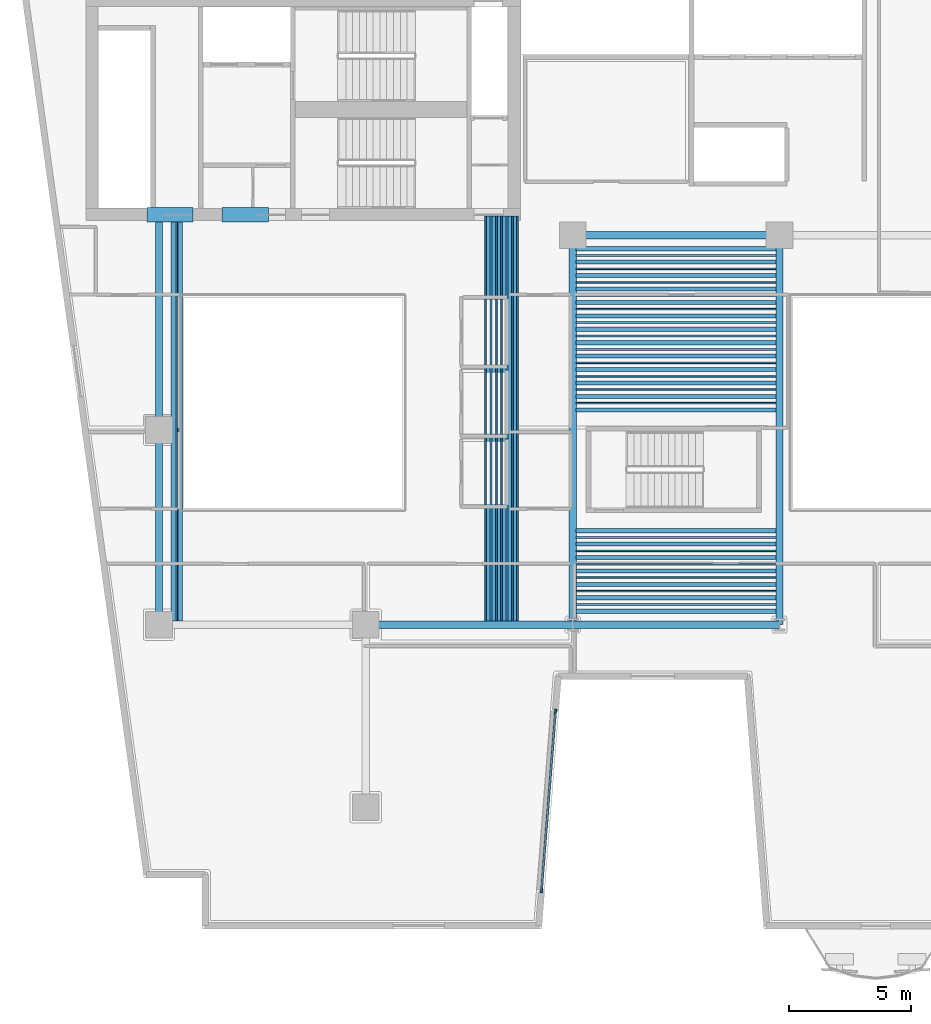
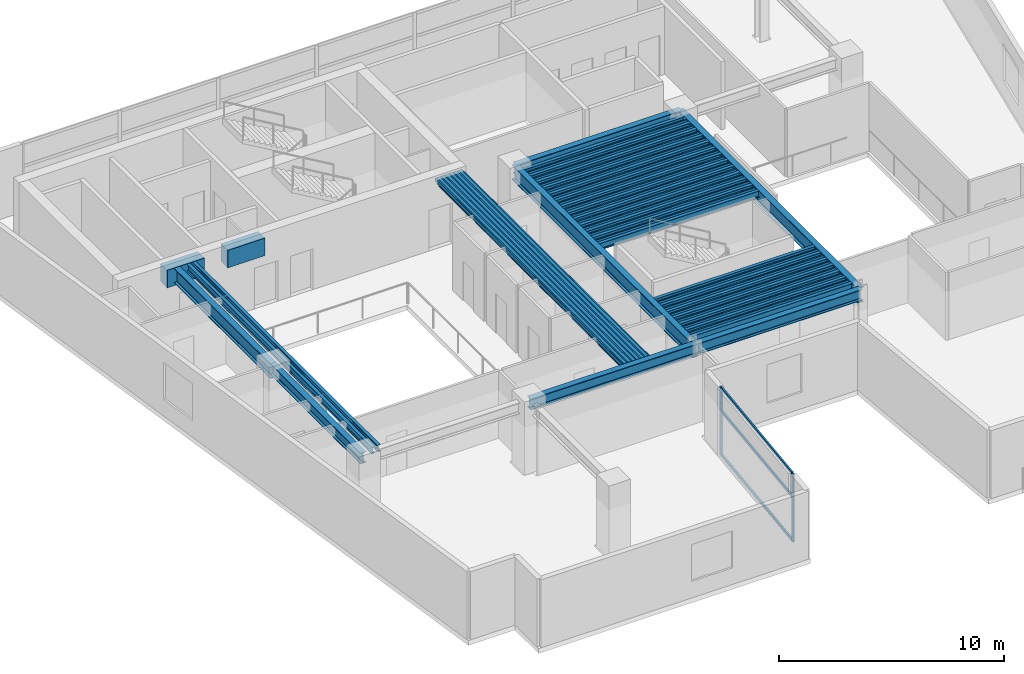
# One storey, part 2 of 12: 63 beams, 5 members, 1 element without a shape of its own.
"""IFC4 building model written with IfcOpenShell, lengths in metres."""

from ifc_helpers import new_model, si_unit, direction, frame, origin, origin_2d, place, context, subcontext, project, spatial, rectangle, hollow_rectangle, i_section, extrude, material, layer, layer_set, material_profile, profile_set, type_object, element, aggregate, save


model = new_model("IFC4")

# Units and contexts
model_context = context("Model", 3, precision=1e-05, world=origin(), true_north=direction((0.0, 1.0)))
body_context = subcontext(model_context, "Body", "Model", "MODEL_VIEW")
ifc_project = project(units=[si_unit("LENGTHUNIT", "METRE"), si_unit("AREAUNIT", "SQUARE_METRE"), si_unit("VOLUMEUNIT", "CUBIC_METRE"), si_unit("PLANEANGLEUNIT", "RADIAN"), si_unit("MASSUNIT", "GRAM", prefix="KILO")], contexts=[model_context])

# Site, building, storey
site_placement = place(None, origin())
site = spatial("IfcSite", under=ifc_project, at=site_placement, CompositionType="ELEMENT")
building_placement = place(site_placement, origin())
building = spatial("IfcBuilding", under=site, at=building_placement, Name="Caeloran Harvest Quay", CompositionType="ELEMENT")
storey_placement = place(building_placement, frame((0.0, 0.0, 111.39990234375)))
storey = spatial("IfcBuildingStorey", under=building, at=storey_placement, Name="L25", CompositionType="ELEMENT", Elevation=111.39990234375)

# Beams
ifc_material_1 = material(Name="Concrete C60/75", Category="concrete")
ifc_material_profile_1 = material_profile(ifc_material_1, rectangle(XDim=0.60009765625, YDim=0.949951171875, at=origin_2d()), Name="RC 600x950")
ifc_profile_set_1 = profile_set([ifc_material_profile_1], Name="Concrete C60/75")
beam_type_1 = type_object("IfcBeamType", Name="BM-CB-2-RC_600x950", PredefinedType="LINTEL", material=ifc_profile_set_1)
for number, where, z_axis, x_axis, name in (
    (1, (8.0, 31.85009765625, 3.215087890625), (1.0, 0.0, 0.0), (0.0, 1.0, 0.0), "L25 Core Coupling Beam 1"),
    (2, (11.10009765625, 31.85009765625, 3.215087890625), (1.0, 0.0, 0.0), (0.0, 1.0, 0.0), "L25 Core Coupling Beam 2"),
):
    element("IfcBeam", number, at=place(storey_placement, frame(where, z_axis=z_axis, x_axis=x_axis)), inside=storey, type_object=beam_type_1, Name=name, PredefinedType="LINTEL", context=body_context, shape_type="SweptSolid", body=[
        extrude(rectangle(XDim=0.60009765625, YDim=0.949951171875, at=origin_2d()), origin(), (0.0, 0.0, 1.0), 1.89990234375),
    ])
ifc_material_2 = material(Name="Steel S355J2", Category="steel")
ifc_material_profile_2 = material_profile(ifc_material_2, i_section(OverallWidth=0.300048828125, OverallDepth=0.800048828125, WebThickness=0.017578125, FlangeThickness=0.032958984375, FilletRadius=0.030029296875, at=origin_2d()), Name="HE 800 B")
ifc_profile_set_2 = profile_set([ifc_material_profile_2], Name="Steel S355J2")
beam_type_2 = type_object("IfcBeamType", Name="BM-PG-1-HE_800_B", PredefinedType="BEAM", material=ifc_profile_set_2)
beam_1_placement = place(storey_placement, frame((8.5, 23.0, 3.2900390625), z_axis=(0.0, 1.0, 0.0), x_axis=(-1.0, 0.0, 0.0)))
element("IfcBeam", 3, at=beam_1_placement, inside=storey, type_object=beam_type_2, Name="L25 Core South Tie Girder X=8.5", PredefinedType="BEAM", context=body_context, shape_type="SweptSolid", body=[
    extrude(i_section(OverallWidth=0.300048828125, OverallDepth=0.800048828125, WebThickness=0.017578125, FlangeThickness=0.032958984375, FilletRadius=0.030029296875, at=origin_2d()), origin(), (0.0, 0.0, 1.0), 8.800048828125),
])
for number, where, z_axis, x_axis, name in (
    (4, (25.5, 15.0, 3.2900390625), (0.0, 1.0, 0.0), (-1.0, 0.0, 0.0), "L25 Primary North-South Girder X=25.5"),
    (5, (34.0, 15.0, 3.2900390625), (0.0, 1.0, 0.0), (-1.0, 0.0, 0.0), "L25 Primary North-South Girder X=34.0"),
):
    element("IfcBeam", number, at=place(storey_placement, frame(where, z_axis=z_axis, x_axis=x_axis)), inside=storey, type_object=beam_type_2, Name=name, PredefinedType="BEAM", context=body_context, shape_type="SweptSolid", body=[
        extrude(i_section(OverallWidth=0.300048828125, OverallDepth=0.800048828125, WebThickness=0.017578125, FlangeThickness=0.032958984375, FilletRadius=0.030029296875, at=origin_2d()), origin(), (0.0, 0.0, 1.0), 16.0),
    ])
ifc_material_profile_3 = material_profile(ifc_material_2, i_section(OverallWidth=0.300048828125, OverallDepth=0.60009765625, WebThickness=0.015380859375, FlangeThickness=0.030029296875, FilletRadius=0.027099609375, at=origin_2d()), Name="HE 600 B")
ifc_profile_set_3 = profile_set([ifc_material_profile_3], Name="Steel S355J2")
beam_type_3 = type_object("IfcBeamType", Name="BM-PG-3-HE_600_B", PredefinedType="BEAM", material=ifc_profile_set_3)
for number, where, z_axis, x_axis, name in (
    (6, (17.0, 15.0, 3.39013671875), (1.0, 0.0, 0.0), (0.0, 1.0, 0.0), "L25 Primary East-West Girder Y=15.0"),
    (7, (25.5, 15.0, 3.39013671875), (1.0, 0.0, 0.0), (0.0, 1.0, 0.0), "L25 Primary East-West Girder Y=15.0"),
    (8, (25.5, 31.0, 3.39013671875), (1.0, 0.0, 0.0), (0.0, 1.0, 0.0), "L25 Primary East-West Girder Y=31.0"),
):
    element("IfcBeam", number, at=place(storey_placement, frame(where, z_axis=z_axis, x_axis=x_axis)), inside=storey, type_object=beam_type_3, Name=name, PredefinedType="BEAM", context=body_context, shape_type="SweptSolid", body=[
        extrude(i_section(OverallWidth=0.300048828125, OverallDepth=0.60009765625, WebThickness=0.015380859375, FlangeThickness=0.030029296875, FilletRadius=0.027099609375, at=origin_2d()), origin(), (0.0, 0.0, 1.0), 8.5),
    ])
beam_2_placement = place(storey_placement, frame((8.5, 15.0, 3.39013671875), z_axis=(0.0, 1.0, 0.0), x_axis=(-1.0, 0.0, 0.0)))
element("IfcBeam", 9, at=beam_2_placement, inside=storey, type_object=beam_type_3, Name="L25 Primary North-South Girder X=8.5", PredefinedType="BEAM", context=body_context, shape_type="SweptSolid", body=[
    extrude(i_section(OverallWidth=0.300048828125, OverallDepth=0.60009765625, WebThickness=0.015380859375, FlangeThickness=0.030029296875, FilletRadius=0.027099609375, at=origin_2d()), origin(), (0.0, 0.0, 1.0), 8.0),
])
ifc_material_profile_4 = material_profile(ifc_material_2, i_section(OverallWidth=0.169921875, OverallDepth=0.360107421875, WebThickness=0.008056640625, FlangeThickness=0.0126953125, FilletRadius=0.01806640625, at=origin_2d()), Name="IPE 360")
ifc_profile_set_4 = profile_set([ifc_material_profile_4], Name="Steel S355J2")
beam_type_4 = type_object("IfcBeamType", Name="BM-SB-5-IPE_360", PredefinedType="JOIST", material=ifc_profile_set_4)
for number, where, z_axis, x_axis, name in (
    (10, (9.086181640625, 15.14501953125, 3.510009765625), (0.0, 1.0, 0.0), (-1.0, 0.0, 0.0), "L25 Secondary Composite Joist"),
    (11, (9.37939453125, 15.14501953125, 3.510009765625), (0.0, 1.0, 0.0), (-1.0, 0.0, 0.0), "L25 Secondary Composite Joist"),
    (12, (22.0361328125, 15.14501953125, 3.510009765625), (0.0, 1.0, 0.0), (-1.0, 0.0, 0.0), "L25 Secondary Composite Joist"),
    (13, (22.255126953125, 15.14501953125, 3.510009765625), (0.0, 1.0, 0.0), (-1.0, 0.0, 0.0), "L25 Secondary Composite Joist"),
    (14, (22.47412109375, 15.14501953125, 3.510009765625), (0.0, 1.0, 0.0), (-1.0, 0.0, 0.0), "L25 Secondary Composite Joist"),
    (15, (22.693115234375, 15.14501953125, 3.510009765625), (0.0, 1.0, 0.0), (-1.0, 0.0, 0.0), "L25 Secondary Composite Joist"),
    (16, (22.912109375, 15.14501953125, 3.510009765625), (0.0, 1.0, 0.0), (-1.0, 0.0, 0.0), "L25 Secondary Composite Joist"),
    (17, (23.131103515625, 15.14501953125, 3.510009765625), (0.0, 1.0, 0.0), (-1.0, 0.0, 0.0), "L25 Secondary Composite Joist"),
):
    element("IfcBeam", number, at=place(storey_placement, frame(where, z_axis=z_axis, x_axis=x_axis)), inside=storey, type_object=beam_type_4, Name=name, PredefinedType="JOIST", context=body_context, shape_type="SweptSolid", body=[
        extrude(i_section(OverallWidth=0.169921875, OverallDepth=0.360107421875, WebThickness=0.008056640625, FlangeThickness=0.0126953125, FilletRadius=0.01806640625, at=origin_2d()), origin(), (0.0, 0.0, 1.0), 16.655029296875),
    ])
for number, where, z_axis, x_axis, name in (
    (18, (25.64501953125, 15.5517578125, 3.510009765625), (1.0, 0.0, 0.0), (0.0, 1.0, 0.0), "L25 Secondary East-West Composite Joist"),
    (19, (25.64501953125, 16.103515625, 3.510009765625), (1.0, 0.0, 0.0), (0.0, 1.0, 0.0), "L25 Secondary East-West Composite Joist"),
    (20, (25.64501953125, 16.6552734375, 3.510009765625), (1.0, 0.0, 0.0), (0.0, 1.0, 0.0), "L25 Secondary East-West Composite Joist"),
    (21, (25.64501953125, 17.206787109375, 3.510009765625), (1.0, 0.0, 0.0), (0.0, 1.0, 0.0), "L25 Secondary East-West Composite Joist"),
    (22, (25.64501953125, 17.758544921875, 3.510009765625), (1.0, 0.0, 0.0), (0.0, 1.0, 0.0), "L25 Secondary East-West Composite Joist"),
    (23, (25.64501953125, 18.310302734375, 3.510009765625), (1.0, 0.0, 0.0), (0.0, 1.0, 0.0), "L25 Secondary East-West Composite Joist"),
    (24, (25.64501953125, 18.862060546875, 3.510009765625), (1.0, 0.0, 0.0), (0.0, 1.0, 0.0), "L25 Secondary East-West Composite Joist"),
    (25, (25.64501953125, 23.82763671875, 3.510009765625), (1.0, 0.0, 0.0), (0.0, 1.0, 0.0), "L25 Secondary East-West Composite Joist"),
    (26, (25.64501953125, 24.37939453125, 3.510009765625), (1.0, 0.0, 0.0), (0.0, 1.0, 0.0), "L25 Secondary East-West Composite Joist"),
    (27, (25.64501953125, 24.930908203125, 3.510009765625), (1.0, 0.0, 0.0), (0.0, 1.0, 0.0), "L25 Secondary East-West Composite Joist"),
    (28, (25.64501953125, 25.48291015625, 3.510009765625), (1.0, 0.0, 0.0), (0.0, 1.0, 0.0), "L25 Secondary East-West Composite Joist"),
    (29, (25.64501953125, 26.034423828125, 3.510009765625), (1.0, 0.0, 0.0), (0.0, 1.0, 0.0), "L25 Secondary East-West Composite Joist"),
    (30, (25.64501953125, 26.586181640625, 3.510009765625), (1.0, 0.0, 0.0), (0.0, 1.0, 0.0), "L25 Secondary East-West Composite Joist"),
    (31, (25.64501953125, 27.137939453125, 3.510009765625), (1.0, 0.0, 0.0), (0.0, 1.0, 0.0), "L25 Secondary East-West Composite Joist"),
    (32, (25.64501953125, 27.689697265625, 3.510009765625), (1.0, 0.0, 0.0), (0.0, 1.0, 0.0), "L25 Secondary East-West Composite Joist"),
    (33, (25.64501953125, 28.241455078125, 3.510009765625), (1.0, 0.0, 0.0), (0.0, 1.0, 0.0), "L25 Secondary East-West Composite Joist"),
    (34, (25.64501953125, 28.793212890625, 3.510009765625), (1.0, 0.0, 0.0), (0.0, 1.0, 0.0), "L25 Secondary East-West Composite Joist"),
    (35, (25.64501953125, 29.3447265625, 3.510009765625), (1.0, 0.0, 0.0), (0.0, 1.0, 0.0), "L25 Secondary East-West Composite Joist"),
    (36, (25.64501953125, 29.896484375, 3.510009765625), (1.0, 0.0, 0.0), (0.0, 1.0, 0.0), "L25 Secondary East-West Composite Joist"),
    (37, (25.64501953125, 30.4482421875, 3.510009765625), (1.0, 0.0, 0.0), (0.0, 1.0, 0.0), "L25 Secondary East-West Composite Joist"),
):
    element("IfcBeam", number, at=place(storey_placement, frame(where, z_axis=z_axis, x_axis=x_axis)), inside=storey, type_object=beam_type_4, Name=name, PredefinedType="JOIST", context=body_context, shape_type="SweptSolid", body=[
        extrude(i_section(OverallWidth=0.169921875, OverallDepth=0.360107421875, WebThickness=0.008056640625, FlangeThickness=0.0126953125, FilletRadius=0.01806640625, at=origin_2d()), origin(), (0.0, 0.0, 1.0), 8.2099609375),
    ])
ifc_material_profile_5 = material_profile(ifc_material_2, hollow_rectangle(XDim=0.080078125, YDim=0.199951171875, WallThickness=0.006103515625, InnerFilletRadius=0.006103515625, OuterFilletRadius=0.009033203125, at=origin_2d()), Name="RHS 200x80x6")
ifc_profile_set_5 = profile_set([ifc_material_profile_5], Name="Steel S355J2")
beam_type_5 = type_object("IfcBeamType", Name="BM-SB-7-RHS_200x80x6", PredefinedType="JOIST", material=ifc_profile_set_5)
for number, where, z_axis, x_axis, name in (
    (38, (9.23291015625, 15.14501953125, 3.590087890625), (0.0, 1.0, 0.0), (-1.0, 0.0, 0.0), "L25 Secondary Composite Joist"),
    (39, (21.9267578125, 15.14501953125, 3.590087890625), (0.0, 1.0, 0.0), (-1.0, 0.0, 0.0), "L25 Secondary Composite Joist"),
    (40, (22.145751953125, 15.14501953125, 3.590087890625), (0.0, 1.0, 0.0), (-1.0, 0.0, 0.0), "L25 Secondary Composite Joist"),
    (41, (22.36474609375, 15.14501953125, 3.590087890625), (0.0, 1.0, 0.0), (-1.0, 0.0, 0.0), "L25 Secondary Composite Joist"),
    (42, (22.58349609375, 15.14501953125, 3.590087890625), (0.0, 1.0, 0.0), (-1.0, 0.0, 0.0), "L25 Secondary Composite Joist"),
    (43, (22.802490234375, 15.14501953125, 3.590087890625), (0.0, 1.0, 0.0), (-1.0, 0.0, 0.0), "L25 Secondary Composite Joist"),
    (44, (23.021484375, 15.14501953125, 3.590087890625), (0.0, 1.0, 0.0), (-1.0, 0.0, 0.0), "L25 Secondary Composite Joist"),
    (45, (23.240478515625, 15.14501953125, 3.590087890625), (0.0, 1.0, 0.0), (-1.0, 0.0, 0.0), "L25 Secondary Composite Joist"),
):
    element("IfcBeam", number, at=place(storey_placement, frame(where, z_axis=z_axis, x_axis=x_axis)), inside=storey, type_object=beam_type_5, Name=name, PredefinedType="JOIST", context=body_context, shape_type="SweptSolid", body=[
        extrude(hollow_rectangle(XDim=0.080078125, YDim=0.199951171875, WallThickness=0.006103515625, InnerFilletRadius=0.006103515625, OuterFilletRadius=0.009033203125, at=origin_2d()), origin(), (0.0, 0.0, 1.0), 16.655029296875),
    ])
for number, where, z_axis, x_axis, name in (
    (46, (25.64501953125, 15.82763671875, 3.590087890625), (1.0, 0.0, 0.0), (0.0, 1.0, 0.0), "L25 Secondary East-West Composite Joist"),
    (47, (25.64501953125, 16.37939453125, 3.590087890625), (1.0, 0.0, 0.0), (0.0, 1.0, 0.0), "L25 Secondary East-West Composite Joist"),
    (48, (25.64501953125, 16.930908203125, 3.590087890625), (1.0, 0.0, 0.0), (0.0, 1.0, 0.0), "L25 Secondary East-West Composite Joist"),
    (49, (25.64501953125, 17.48291015625, 3.590087890625), (1.0, 0.0, 0.0), (0.0, 1.0, 0.0), "L25 Secondary East-West Composite Joist"),
    (50, (25.64501953125, 18.034423828125, 3.590087890625), (1.0, 0.0, 0.0), (0.0, 1.0, 0.0), "L25 Secondary East-West Composite Joist"),
    (51, (25.64501953125, 18.586181640625, 3.590087890625), (1.0, 0.0, 0.0), (0.0, 1.0, 0.0), "L25 Secondary East-West Composite Joist"),
    (52, (25.64501953125, 24.103515625, 3.590087890625), (1.0, 0.0, 0.0), (0.0, 1.0, 0.0), "L25 Secondary East-West Composite Joist"),
    (53, (25.64501953125, 24.6552734375, 3.590087890625), (1.0, 0.0, 0.0), (0.0, 1.0, 0.0), "L25 Secondary East-West Composite Joist"),
    (54, (25.64501953125, 25.206787109375, 3.590087890625), (1.0, 0.0, 0.0), (0.0, 1.0, 0.0), "L25 Secondary East-West Composite Joist"),
    (55, (25.64501953125, 25.758544921875, 3.590087890625), (1.0, 0.0, 0.0), (0.0, 1.0, 0.0), "L25 Secondary East-West Composite Joist"),
    (56, (25.64501953125, 26.310302734375, 3.590087890625), (1.0, 0.0, 0.0), (0.0, 1.0, 0.0), "L25 Secondary East-West Composite Joist"),
    (57, (25.64501953125, 26.862060546875, 3.590087890625), (1.0, 0.0, 0.0), (0.0, 1.0, 0.0), "L25 Secondary East-West Composite Joist"),
    (58, (25.64501953125, 27.413818359375, 3.590087890625), (1.0, 0.0, 0.0), (0.0, 1.0, 0.0), "L25 Secondary East-West Composite Joist"),
    (59, (25.64501953125, 27.965576171875, 3.590087890625), (1.0, 0.0, 0.0), (0.0, 1.0, 0.0), "L25 Secondary East-West Composite Joist"),
    (60, (25.64501953125, 28.51708984375, 3.590087890625), (1.0, 0.0, 0.0), (0.0, 1.0, 0.0), "L25 Secondary East-West Composite Joist"),
    (61, (25.64501953125, 29.069091796875, 3.590087890625), (1.0, 0.0, 0.0), (0.0, 1.0, 0.0), "L25 Secondary East-West Composite Joist"),
    (62, (25.64501953125, 29.62060546875, 3.590087890625), (1.0, 0.0, 0.0), (0.0, 1.0, 0.0), "L25 Secondary East-West Composite Joist"),
    (63, (25.64501953125, 30.17236328125, 3.590087890625), (1.0, 0.0, 0.0), (0.0, 1.0, 0.0), "L25 Secondary East-West Composite Joist"),
):
    element("IfcBeam", number, at=place(storey_placement, frame(where, z_axis=z_axis, x_axis=x_axis)), inside=storey, type_object=beam_type_5, Name=name, PredefinedType="JOIST", context=body_context, shape_type="SweptSolid", body=[
        extrude(hollow_rectangle(XDim=0.080078125, YDim=0.199951171875, WallThickness=0.006103515625, InnerFilletRadius=0.006103515625, OuterFilletRadius=0.009033203125, at=origin_2d()), origin(), (0.0, 0.0, 1.0), 8.2099609375),
    ])

# Curtain wall, members
ifc_material_3 = material(Name="Aluminium 6063-T6 and Low-E Glazing", Category="aluminium")
ifc_layer = layer(ifc_material_3, 0.18994140625, Name="Aluminium 6063-T6 and Low-E Glazing")
ifc_layer_set = layer_set([ifc_layer], Name="Aluminium 6063-T6 and Low-E Glazing")
curtain_wall_type = type_object("IfcCurtainWallType", Name="CW-SYS-CW-3", PredefinedType="USERDEFINED", material=ifc_layer_set)
curtain_wall_placement = place(storey_placement, origin())
curtain_wall = element("IfcCurtainWall", 64, at=curtain_wall_placement, inside=storey, type_object=curtain_wall_type, Name="L25 Unitised Curtain Wall CW-3 Run 15", ObjectType="CURTAIN_WALL", PredefinedType="USERDEFINED")
ifc_material_4 = material(Name="Aluminium 6063-T6", Category="aluminium")
ifc_material_profile_6 = material_profile(ifc_material_4, rectangle(XDim=0.080078125, YDim=0.179931640625, at=origin_2d()), Name="CW-MULLION-180")
ifc_profile_set_6 = profile_set([ifc_material_profile_6], Name="Aluminium 6063-T6")
member_type_1 = type_object("IfcMemberType", Name="CW-MULLION-180", PredefinedType="MULLION", material=ifc_profile_set_6)
member_1_placement = place(storey_placement, frame((24.7978515625, 11.4443359375, 0.0), z_axis=(0.0, 0.0, 1.0), x_axis=(0.996967280277, -0.077821861046, 0.0)))
member_1 = element("IfcMember", 65, at=member_1_placement, type_object=member_type_1, Name="CW-3 mullion 1", PredefinedType="MULLION", context=body_context, shape_type="SweptSolid", body=[
    extrude(rectangle(XDim=0.080078125, YDim=0.179931640625, at=origin_2d()), origin(), (0.0, 0.0, 1.0), 3.690185546875),
])
member_2_placement = place(storey_placement, frame((24.221923828125, 4.065673828125, 0.0), z_axis=(0.0, 0.0, 1.0), x_axis=(0.996967280277, -0.077821861046, 0.0)))
member_2 = element("IfcMember", 66, at=member_2_placement, type_object=member_type_1, Name="CW-3 mullion 2", PredefinedType="MULLION", context=body_context, shape_type="SweptSolid", body=[
    extrude(rectangle(XDim=0.080078125, YDim=0.179931640625, at=origin_2d()), origin(), (0.0, 0.0, 1.0), 3.690185546875),
])
ifc_material_profile_7 = material_profile(ifc_material_4, rectangle(XDim=0.080078125, YDim=0.14990234375, at=origin_2d()), Name="CW-TRANSOM-150")
ifc_profile_set_7 = profile_set([ifc_material_profile_7], Name="Aluminium 6063-T6")
member_type_2 = type_object("IfcMemberType", Name="CW-TRANSOM-150", PredefinedType="USERDEFINED", material=ifc_profile_set_7)
member_3_placement = place(storey_placement, frame((24.794677734375, 11.404541015625, 0.0400390625), z_axis=(-0.077831218093, -0.996966549835, 0.0), x_axis=(0.996966549835, -0.077831218093, 0.0)))
member_3 = element("IfcMember", 67, at=member_3_placement, type_object=member_type_2, Name="CW-3 transom 1.1", ObjectType="TRANSOM", PredefinedType="USERDEFINED", context=body_context, shape_type="SweptSolid", body=[
    extrude(rectangle(XDim=0.080078125, YDim=0.14990234375, at=origin_2d()), origin(), (0.0, 0.0, 1.0), 7.3212890625),
])
member_4_placement = place(storey_placement, frame((24.794677734375, 11.404541015625, 2.400146484375), z_axis=(-0.077831218093, -0.996966549835, 0.0), x_axis=(0.996966549835, -0.077831218093, 0.0)))
member_4 = element("IfcMember", 68, at=member_4_placement, type_object=member_type_2, Name="CW-3 transom 1.2", ObjectType="TRANSOM", PredefinedType="USERDEFINED", context=body_context, shape_type="SweptSolid", body=[
    extrude(rectangle(XDim=0.080078125, YDim=0.14990234375, at=origin_2d()), origin(), (0.0, 0.0, 1.0), 7.3212890625),
])
member_5_placement = place(storey_placement, frame((24.794677734375, 11.404541015625, 3.650146484375), z_axis=(-0.077831218093, -0.996966549835, 0.0), x_axis=(0.996966549835, -0.077831218093, 0.0)))
member_5 = element("IfcMember", 69, at=member_5_placement, type_object=member_type_2, Name="CW-3 transom 1.3", ObjectType="TRANSOM", PredefinedType="USERDEFINED", context=body_context, shape_type="SweptSolid", body=[
    extrude(rectangle(XDim=0.080078125, YDim=0.14990234375, at=origin_2d()), origin(), (0.0, 0.0, 1.0), 7.3212890625),
])
aggregate(curtain_wall, [member_1, member_2, member_3, member_4, member_5])

save(model, "model.ifc")
